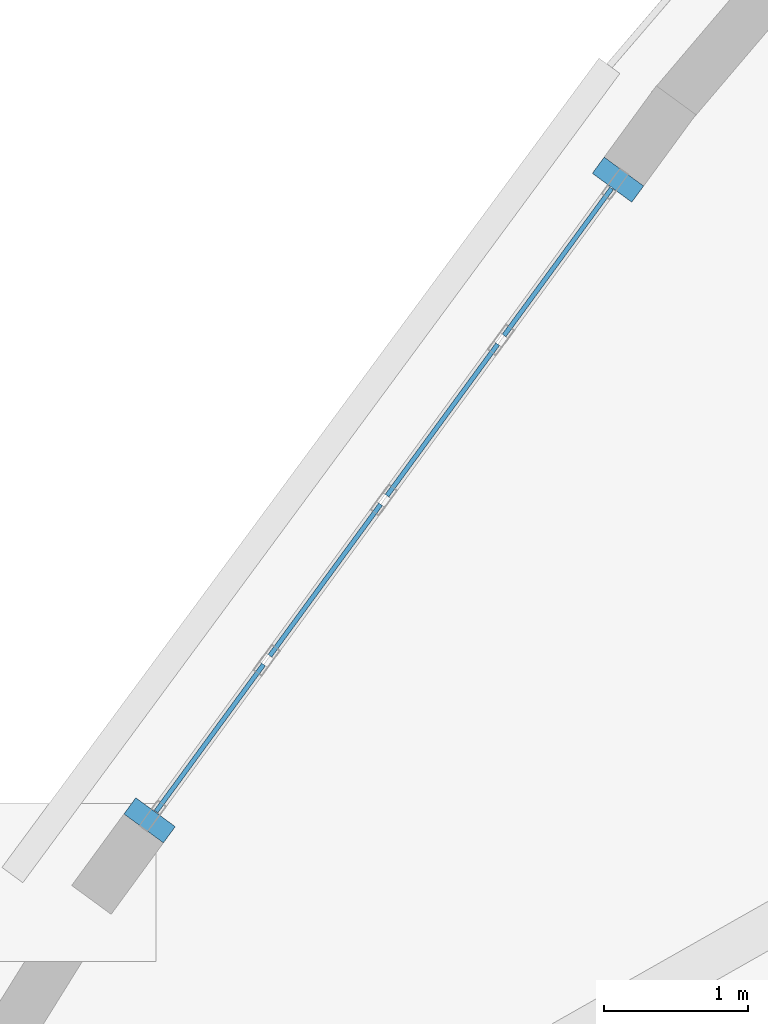
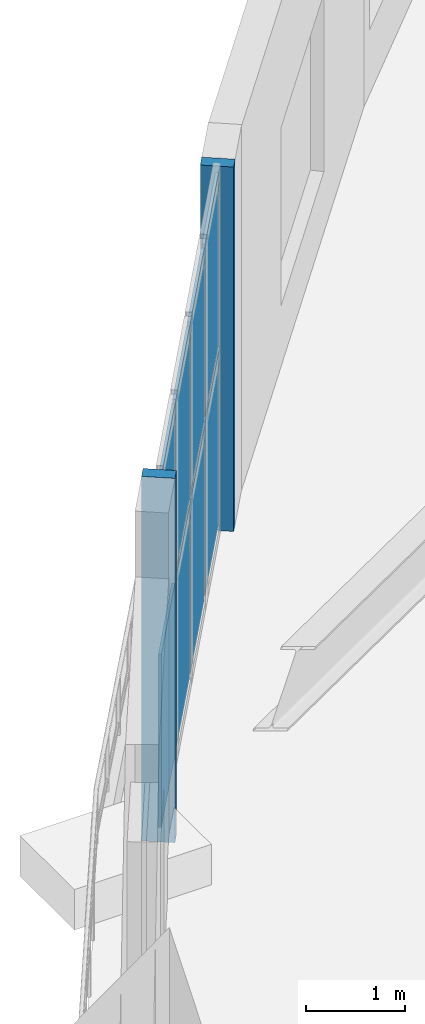
# One storey, part 13 of 23: 10 plates, 1 element without a shape of its own.
"""IFC4 building model written with IfcOpenShell, lengths in metres."""

from ifc_helpers import new_model, si_unit, direction, frame, origin, origin_2d, place, context, subcontext, project, spatial, rectangle, extrude, material, layer, layer_set, type_object, element, aggregate, save


model = new_model("IFC4")

# Units and contexts
model_context = context("Model", 3, precision=1e-05, world=origin(), true_north=direction((0.0, 1.0)))
body_context = subcontext(model_context, "Body", "Model", "MODEL_VIEW")
ifc_project = project(units=[si_unit("LENGTHUNIT", "METRE"), si_unit("AREAUNIT", "SQUARE_METRE"), si_unit("VOLUMEUNIT", "CUBIC_METRE"), si_unit("PLANEANGLEUNIT", "RADIAN"), si_unit("MASSUNIT", "GRAM", prefix="KILO")], contexts=[model_context])

# Site, building, storey
site_placement = place(None, origin())
site = spatial("IfcSite", under=ifc_project, at=site_placement, CompositionType="ELEMENT")
building_placement = place(site_placement, origin())
building = spatial("IfcBuilding", under=site, at=building_placement, Name="Miruveldt Soraemaru", CompositionType="ELEMENT")
storey_placement = place(building_placement, frame((0.0, 0.0, 14.39990234375)))
storey = spatial("IfcBuildingStorey", under=building, at=storey_placement, Name="L04", CompositionType="ELEMENT", Elevation=14.39990234375)

# Curtain wall, plates
ifc_material_1 = material(Name="Anodised aluminium EN AW-6063 T6", Category="aluminium")
ifc_layer_1 = layer(ifc_material_1, 0.219970703125, Name="Anodised aluminium EN AW-6063 T6", Category="aluminium")
ifc_layer_set_1 = layer_set([ifc_layer_1], Name="Anodised aluminium EN AW-6063 T6")
curtain_wall_type = type_object("IfcCurtainWallType", Name="CW-SYS-2", PredefinedType="USERDEFINED", material=ifc_layer_set_1)
curtain_wall_placement = place(storey_placement, origin())
curtain_wall = element("IfcCurtainWall", 1, at=curtain_wall_placement, inside=storey, type_object=curtain_wall_type, Name="L04 Curtain Wall Bay 9", ObjectType="STOREFRONT", PredefinedType="USERDEFINED")
ifc_material_2 = material(Name="Triple low-e insulated glazing", Category="glass")
ifc_layer_2 = layer(ifc_material_2, 0.031982421875, Name="Triple low-e insulated glazing", Category="glass")
ifc_layer_set_2 = layer_set([ifc_layer_2], Name="Triple low-e insulated glazing")
plate_type_1 = type_object("IfcPlateType", Name="CWP-2", PredefinedType="CURTAIN_PANEL", material=ifc_layer_set_2)
plate_1_placement = place(storey_placement, frame((29.091796875, 64.193603515625, 0.0751953125), z_axis=(0.0, 0.0, 1.0), x_axis=(-0.590219982121, -0.807242449767, 0.0)))
plate_1 = element("IfcPlate", 2, at=plate_1_placement, type_object=plate_type_1, Name="CW-2 panel 1.1", PredefinedType="CURTAIN_PANEL", context=body_context, shape_type="SweptSolid", body=[
    extrude(rectangle(XDim=1.26806640625, YDim=0.031982421875, at=origin_2d()), origin(), (0.0, 0.0, 1.0), 2.137451171875),
])
plate_2_placement = place(storey_placement, frame((29.091796875, 64.193603515625, 2.28759765625), z_axis=(0.0, 0.0, 1.0), x_axis=(-0.590219982121, -0.807242449767, 0.0)))
plate_2 = element("IfcPlate", 3, at=plate_2_placement, type_object=plate_type_1, Name="CW-2 panel 1.2", PredefinedType="CURTAIN_PANEL", context=body_context, shape_type="SweptSolid", body=[
    extrude(rectangle(XDim=1.26806640625, YDim=0.031982421875, at=origin_2d()), origin(), (0.0, 0.0, 1.0), 2.137451171875),
])
plate_3_placement = place(storey_placement, frame((28.2880859375, 63.09423828125, 0.0751953125), z_axis=(0.0, 0.0, 1.0), x_axis=(-0.590219982121, -0.807242449767, 0.0)))
plate_3 = element("IfcPlate", 4, at=plate_3_placement, type_object=plate_type_1, Name="CW-2 panel 2.1", PredefinedType="CURTAIN_PANEL", context=body_context, shape_type="SweptSolid", body=[
    extrude(rectangle(XDim=1.305419921875, YDim=0.031982421875, at=origin_2d()), origin(), (0.0, 0.0, 1.0), 2.137451171875),
])
plate_4_placement = place(storey_placement, frame((28.2880859375, 63.09423828125, 2.28759765625), z_axis=(0.0, 0.0, 1.0), x_axis=(-0.590219982121, -0.807242449767, 0.0)))
plate_4 = element("IfcPlate", 5, at=plate_4_placement, type_object=plate_type_1, Name="CW-2 panel 2.2", PredefinedType="CURTAIN_PANEL", context=body_context, shape_type="SweptSolid", body=[
    extrude(rectangle(XDim=1.305419921875, YDim=0.031982421875, at=origin_2d()), origin(), (0.0, 0.0, 1.0), 2.137451171875),
])
plate_5_placement = place(storey_placement, frame((27.473388671875, 61.97998046875, 0.0751953125), z_axis=(0.0, 0.0, 1.0), x_axis=(-0.590219982121, -0.807242449767, 0.0)))
plate_5 = element("IfcPlate", 6, at=plate_5_placement, type_object=plate_type_1, Name="CW-2 panel 3.1", PredefinedType="CURTAIN_PANEL", context=body_context, shape_type="SweptSolid", body=[
    extrude(rectangle(XDim=1.305419921875, YDim=0.031982421875, at=origin_2d()), origin(), (0.0, 0.0, 1.0), 2.137451171875),
])
plate_6_placement = place(storey_placement, frame((27.473388671875, 61.97998046875, 2.28759765625), z_axis=(0.0, 0.0, 1.0), x_axis=(-0.590219982121, -0.807242449767, 0.0)))
plate_6 = element("IfcPlate", 7, at=plate_6_placement, type_object=plate_type_1, Name="CW-2 panel 3.2", PredefinedType="CURTAIN_PANEL", context=body_context, shape_type="SweptSolid", body=[
    extrude(rectangle(XDim=1.305419921875, YDim=0.031982421875, at=origin_2d()), origin(), (0.0, 0.0, 1.0), 2.137451171875),
])
plate_7_placement = place(storey_placement, frame((26.669677734375, 60.880615234375, 0.0751953125), z_axis=(0.0, 0.0, 1.0), x_axis=(-0.590219982121, -0.807242449767, 0.0)))
plate_7 = element("IfcPlate", 8, at=plate_7_placement, type_object=plate_type_1, Name="CW-2 panel 4.1", PredefinedType="CURTAIN_PANEL", context=body_context, shape_type="SweptSolid", body=[
    extrude(rectangle(XDim=1.26806640625, YDim=0.031982421875, at=origin_2d()), origin(), (0.0, 0.0, 1.0), 2.137451171875),
])
plate_8_placement = place(storey_placement, frame((26.669677734375, 60.880615234375, 2.28759765625), z_axis=(0.0, 0.0, 1.0), x_axis=(-0.590219982121, -0.807242449767, 0.0)))
plate_8 = element("IfcPlate", 9, at=plate_8_placement, type_object=plate_type_1, Name="CW-2 panel 4.2", PredefinedType="CURTAIN_PANEL", context=body_context, shape_type="SweptSolid", body=[
    extrude(rectangle(XDim=1.26806640625, YDim=0.031982421875, at=origin_2d()), origin(), (0.0, 0.0, 1.0), 2.137451171875),
])
aggregate(curtain_wall, [plate_1, plate_2, plate_3, plate_4, plate_5, plate_6, plate_7, plate_8])

# Plates
ifc_layer_3 = layer(ifc_material_1, 0.030029296875, Name="Anodised aluminium EN AW-6063 T6", Category="aluminium")
ifc_layer_set_3 = layer_set([ifc_layer_3], Name="Anodised aluminium EN AW-6063 T6")
plate_type_2 = type_object("IfcPlateType", Name="PLT-JAMB-30", PredefinedType="SHEET", material=ifc_layer_set_3)
for number, where, z_axis, x_axis, name in (
    (10, (29.51025390625, 64.765869140625, 0.0), (0.0, 0.0, 1.0), (-0.590225330969, -0.807238538898, 0.0), "L04 Curtain Wall Jamb Closure Trim 9JL"),
    (11, (26.251220703125, 60.308349609375, 0.0), (0.0, 0.0, 1.0), (-0.590225330969, -0.807238538898, 0.0), "L04 Curtain Wall Jamb Closure Trim 9JR"),
):
    element("IfcPlate", number, at=place(storey_placement, frame(where, z_axis=z_axis, x_axis=x_axis)), inside=storey, type_object=plate_type_2, Name=name, PredefinedType="SHEET", context=body_context, shape_type="SweptSolid", body=[
        extrude(rectangle(XDim=0.139892578125, YDim=0.340087890625, at=origin_2d()), origin(), (0.0, 0.0, 1.0), 4.5),
    ])

save(model, "model.ifc")
